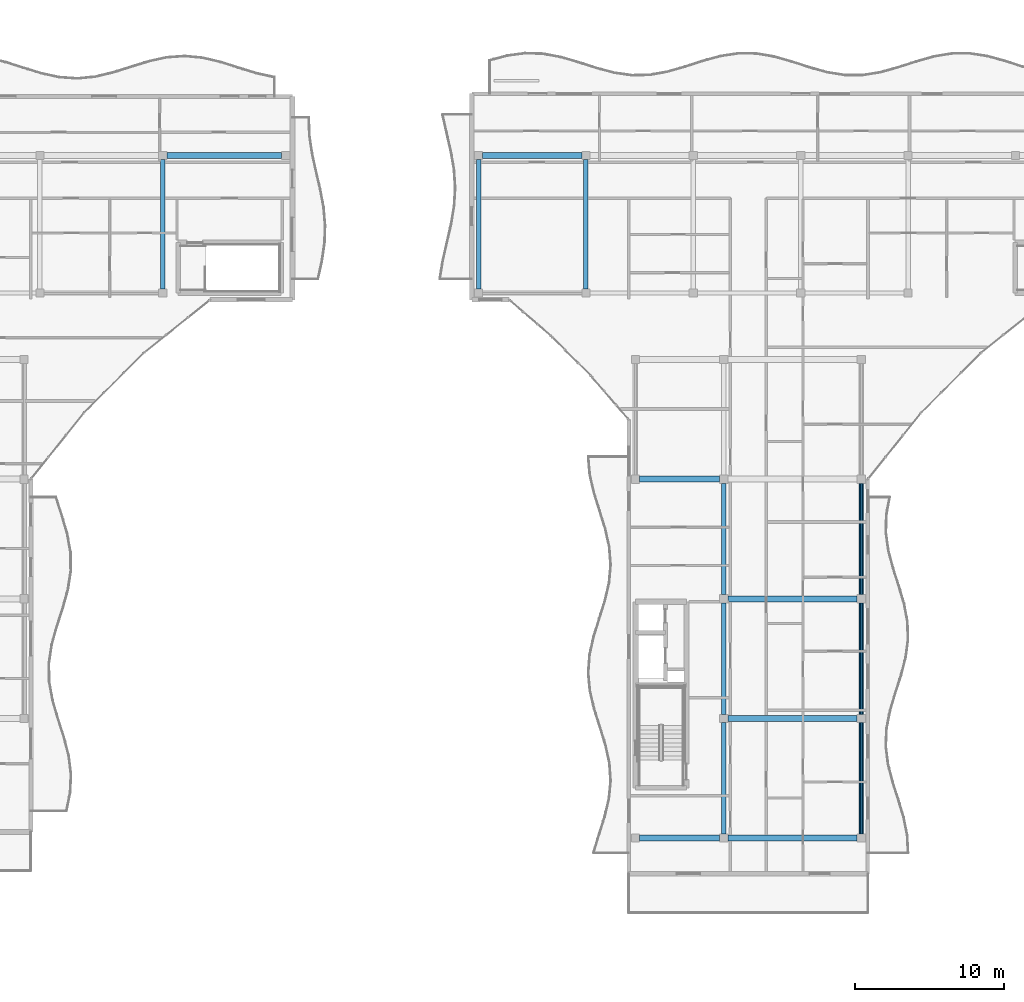
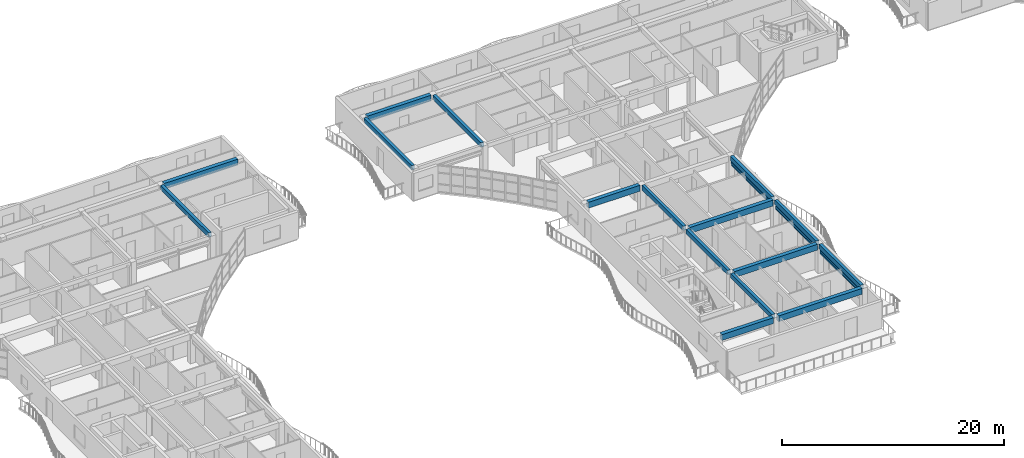
# One storey, part 8 of 49: 16 beams, 6 members.
"""IFC4 building model written with IfcOpenShell, lengths in metres."""

from ifc_helpers import new_model, si_unit, direction, frame, origin, origin_2d, place, context, subcontext, project, spatial, rectangle, hollow_rectangle, extrude, material, material_profile, profile_set, type_object, element, save


model = new_model("IFC4")

# Units and contexts
model_context = context("Model", 3, precision=1e-05, world=origin(), true_north=direction((0.0, 1.0)))
body_context = subcontext(model_context, "Body", "Model", "MODEL_VIEW")
ifc_project = project(units=[si_unit("LENGTHUNIT", "METRE"), si_unit("AREAUNIT", "SQUARE_METRE"), si_unit("VOLUMEUNIT", "CUBIC_METRE"), si_unit("PLANEANGLEUNIT", "RADIAN"), si_unit("MASSUNIT", "GRAM", prefix="KILO")], contexts=[model_context])

# Site, building, storey
site_placement = place(None, origin())
site = spatial("IfcSite", under=ifc_project, at=site_placement, CompositionType="ELEMENT")
building_placement = place(site_placement, origin())
building = spatial("IfcBuilding", under=site, at=building_placement, Name="Keldmere Railside Commons", CompositionType="ELEMENT")
storey_placement = place(building_placement, frame((0.0, 0.0, 29.760009765625)))
storey = spatial("IfcBuildingStorey", under=building, at=storey_placement, Name="L09", CompositionType="ELEMENT", Elevation=29.760009765625)

# Members
ifc_material_1 = material(Name="Steel F-36 (S355)", Category="steel")
ifc_material_profile_1 = material_profile(ifc_material_1, hollow_rectangle(XDim=0.14990234375, YDim=0.25, WallThickness=0.010009765625, at=origin_2d()), Name="RHS-250x150x10")
ifc_profile_set_1 = profile_set([ifc_material_profile_1], Name="Steel F-36 (S355)")
member_type_1 = type_object("IfcMemberType", Name="Balcony Continuous Planted Trough RHS250x150", PredefinedType="CHORD", material=ifc_profile_set_1)
for number, where, z_axis, x_axis, name in (
    (1, (119.550048828125, 64.27490234375, 2.4150390625), (0.0, 1.0, 0.0), (-1.0, 0.0, 0.0), "PLT-1 MEM-BPLT-0949"),
    (2, (119.550048828125, 72.27490234375, 2.4150390625), (0.0, 1.0, 0.0), (-1.0, 0.0, 0.0), "PLT-1 MEM-BPLT-0951"),
    (3, (119.550048828125, 80.27490234375, 2.4150390625), (0.0, 1.0, 0.0), (-1.0, 0.0, 0.0), "PLT-1 MEM-BPLT-0953"),
):
    element("IfcMember", number, at=place(storey_placement, frame(where, z_axis=z_axis, x_axis=x_axis)), inside=storey, type_object=member_type_1, Name=name, PredefinedType="CHORD", context=body_context, shape_type="SweptSolid", body=[
        extrude(hollow_rectangle(XDim=0.14990234375, YDim=0.25, WallThickness=0.010009765625, at=origin_2d()), origin(), (0.0, 0.0, 1.0), 7.4501953125),
    ])

# Beams
ifc_material_2 = material(Name="Concrete H-30 (C30/37)", Category="concrete")
ifc_material_profile_2 = material_profile(ifc_material_2, rectangle(XDim=0.39990234375, YDim=0.64990234375, at=origin_2d()), Name="RC-400x650")
ifc_profile_set_2 = profile_set([ifc_material_profile_2], Name="Concrete H-30 (C30/37)")
beam_type_1 = type_object("IfcBeamType", Name="Residential Spine RC Girder 400x650", PredefinedType="BEAM", material=ifc_profile_set_2)
beam_1_placement = place(storey_placement, frame((104.72509765625, 64.0, 2.875), z_axis=(1.0, 0.0, 0.0), x_axis=(0.0, 1.0, 0.0)))
element("IfcBeam", 4, at=beam_1_placement, inside=storey, type_object=beam_type_1, Name="BG-3 BM-L09-2270", PredefinedType="BEAM", context=body_context, shape_type="SweptSolid", body=[
    extrude(rectangle(XDim=0.39990234375, YDim=0.64990234375, at=origin_2d()), origin(), (0.0, 0.0, 1.0), 5.349853515625),
])
for number, where, z_axis, x_axis, name in (
    (5, (110.625, 64.0, 2.875), (1.0, 0.0, 0.0), (0.0, 1.0, 0.0), "BG-3 BM-L09-2271"),
    (6, (110.625, 72.0, 2.875), (1.0, 0.0, 0.0), (0.0, 1.0, 0.0), "BG-3 BM-L09-2275"),
    (7, (110.625, 80.0, 2.875), (1.0, 0.0, 0.0), (0.0, 1.0, 0.0), "BG-3 BM-L09-2278"),
):
    element("IfcBeam", number, at=place(storey_placement, frame(where, z_axis=z_axis, x_axis=x_axis)), inside=storey, type_object=beam_type_1, Name=name, PredefinedType="BEAM", context=body_context, shape_type="SweptSolid", body=[
        extrude(rectangle(XDim=0.39990234375, YDim=0.64990234375, at=origin_2d()), origin(), (0.0, 0.0, 1.0), 8.64990234375),
    ])
beam_2_placement = place(storey_placement, frame((104.72509765625, 88.0, 2.875), z_axis=(1.0, 0.0, 0.0), x_axis=(0.0, 1.0, 0.0)))
element("IfcBeam", 8, at=beam_2_placement, inside=storey, type_object=beam_type_1, Name="BG-3 BM-L09-2282", PredefinedType="BEAM", context=body_context, shape_type="SweptSolid", body=[
    extrude(rectangle(XDim=0.39990234375, YDim=0.64990234375, at=origin_2d()), origin(), (0.0, 0.0, 1.0), 5.349853515625),
])
beam_3_placement = place(storey_placement, frame((73.10498046875, 109.64990234375, 2.875), z_axis=(1.0, 0.0, 0.0), x_axis=(0.0, 1.0, 0.0)))
element("IfcBeam", 9, at=beam_3_placement, inside=storey, type_object=beam_type_1, Name="BG-3 BM-L09-2305", PredefinedType="BEAM", context=body_context, shape_type="SweptSolid", body=[
    extrude(rectangle(XDim=0.39990234375, YDim=0.64990234375, at=origin_2d()), origin(), (0.0, 0.0, 1.0), 7.669921875),
])
beam_4_placement = place(storey_placement, frame((94.22509765625, 109.64990234375, 2.875), z_axis=(1.0, 0.0, 0.0), x_axis=(0.0, 1.0, 0.0)))
element("IfcBeam", 10, at=beam_4_placement, inside=storey, type_object=beam_type_1, Name="BG-3 BM-L09-2306", PredefinedType="BEAM", context=body_context, shape_type="SweptSolid", body=[
    extrude(rectangle(XDim=0.39990234375, YDim=0.64990234375, at=origin_2d()), origin(), (0.0, 0.0, 1.0), 6.6328125),
])
ifc_material_profile_3 = material_profile(ifc_material_2, rectangle(XDim=0.300048828125, YDim=0.5, at=origin_2d()), Name="RC-300x500")
ifc_profile_set_3 = profile_set([ifc_material_profile_3], Name="Concrete H-30 (C30/37)")
beam_type_2 = type_object("IfcBeamType", Name="Secondary Frame RC Beam 300x500", PredefinedType="BEAM", material=ifc_profile_set_3)
for number, where, z_axis, x_axis, name in (
    (11, (72.830078125, 100.72509765625, 2.949951171875), (0.0, 1.0, 0.0), (-1.0, 0.0, 0.0), "BG-5 BM-L09-2332"),
    (12, (93.949951171875, 100.72509765625, 2.949951171875), (0.0, 1.0, 0.0), (-1.0, 0.0, 0.0), "BG-5 BM-L09-2333"),
    (13, (101.133056640625, 100.72509765625, 2.949951171875), (0.0, 1.0, 0.0), (-1.0, 0.0, 0.0), "BG-5 BM-L09-2334"),
):
    element("IfcBeam", number, at=place(storey_placement, frame(where, z_axis=z_axis, x_axis=x_axis)), inside=storey, type_object=beam_type_2, Name=name, PredefinedType="BEAM", context=body_context, shape_type="SweptSolid", body=[
        extrude(rectangle(XDim=0.300048828125, YDim=0.5, at=origin_2d()), origin(), (0.0, 0.0, 1.0), 8.64990234375),
    ])
for number, where, z_axis, x_axis, name in (
    (14, (110.35009765625, 64.27490234375, 2.949951171875), (0.0, 1.0, 0.0), (-1.0, 0.0, 0.0), "BG-5 BM-L09-2337"),
    (15, (110.35009765625, 72.27490234375, 2.949951171875), (0.0, 1.0, 0.0), (-1.0, 0.0, 0.0), "BG-5 BM-L09-2338"),
    (16, (110.35009765625, 80.27490234375, 2.949951171875), (0.0, 1.0, 0.0), (-1.0, 0.0, 0.0), "BG-5 BM-L09-2339"),
    (17, (119.550048828125, 64.27490234375, 2.949951171875), (0.0, 1.0, 0.0), (-1.0, 0.0, 0.0), "BG-5 BM-L09-2342"),
    (18, (119.550048828125, 72.27490234375, 2.949951171875), (0.0, 1.0, 0.0), (-1.0, 0.0, 0.0), "BG-5 BM-L09-2343"),
    (19, (119.550048828125, 80.27490234375, 2.949951171875), (0.0, 1.0, 0.0), (-1.0, 0.0, 0.0), "BG-5 BM-L09-2344"),
):
    element("IfcBeam", number, at=place(storey_placement, frame(where, z_axis=z_axis, x_axis=x_axis)), inside=storey, type_object=beam_type_2, Name=name, PredefinedType="BEAM", context=body_context, shape_type="SweptSolid", body=[
        extrude(rectangle(XDim=0.300048828125, YDim=0.5, at=origin_2d()), origin(), (0.0, 0.0, 1.0), 7.4501953125),
    ])

# Members
ifc_material_profile_4 = material_profile(ifc_material_1, hollow_rectangle(XDim=0.10009765625, YDim=0.159912109375, WallThickness=0.008056640625, at=origin_2d()), Name="RHS-160x100x8")
ifc_profile_set_4 = profile_set([ifc_material_profile_4], Name="Steel F-36 (S355)")
member_type_2 = type_object("IfcMemberType", Name="Solar Brise-Soleil Louvre Fin RHS160x100", PredefinedType="STRUT", material=ifc_profile_set_4)
for number, where, z_axis, x_axis, name in (
    (20, (119.550048828125, 64.27490234375, 2.199951171875), (0.0, 1.0, 0.0), (-1.0, 0.0, 0.0), "BSF-1 MEM-BSF-0950"),
    (21, (119.550048828125, 72.27490234375, 2.199951171875), (0.0, 1.0, 0.0), (-1.0, 0.0, 0.0), "BSF-1 MEM-BSF-0952"),
    (22, (119.550048828125, 80.27490234375, 2.199951171875), (0.0, 1.0, 0.0), (-1.0, 0.0, 0.0), "BSF-1 MEM-BSF-0954"),
):
    element("IfcMember", number, at=place(storey_placement, frame(where, z_axis=z_axis, x_axis=x_axis)), inside=storey, type_object=member_type_2, Name=name, PredefinedType="STRUT", context=body_context, shape_type="SweptSolid", body=[
        extrude(hollow_rectangle(XDim=0.10009765625, YDim=0.159912109375, WallThickness=0.008056640625, at=origin_2d()), origin(), (0.0, 0.0, 1.0), 7.4501953125),
    ])

save(model, "model.ifc")
